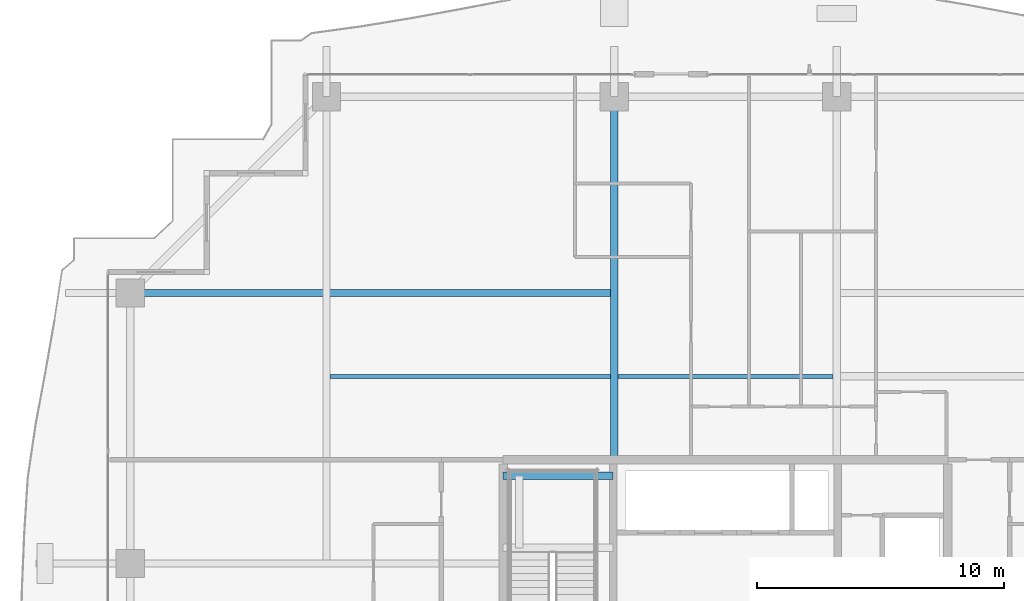
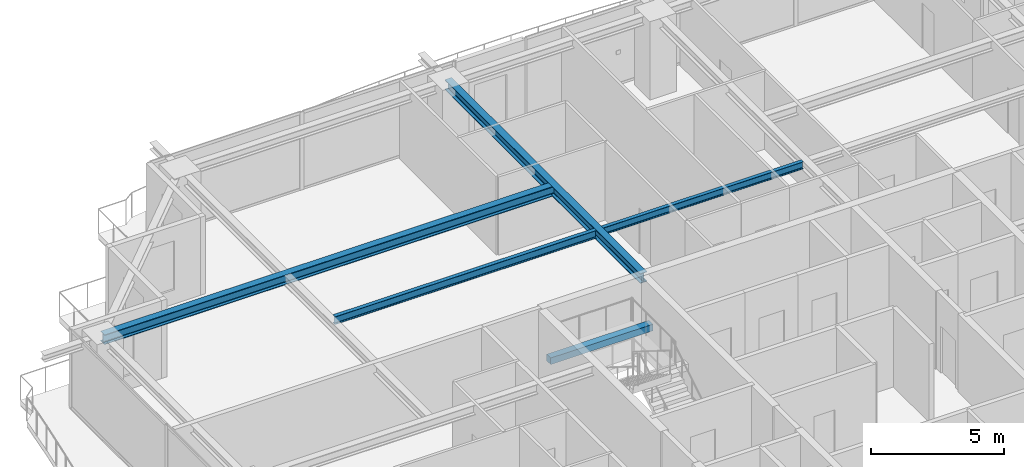
# One storey, part 20 of 40: 5 beams.
"""IFC4 building model written with IfcOpenShell, lengths in metres."""

from ifc_helpers import new_model, si_unit, direction, frame, origin, origin_2d, place, context, subcontext, project, spatial, rectangle, i_section, extrude, source, transform, mapped, material, material_profile, profile_set, type_object, element, save


model = new_model("IFC4")

# Units and contexts
model_context = context("Model", 3, precision=1e-05, world=origin(), true_north=direction((0.0, 1.0)))
body_context = subcontext(model_context, "Body", "Model", "MODEL_VIEW")
ifc_project = project(units=[si_unit("LENGTHUNIT", "METRE"), si_unit("AREAUNIT", "SQUARE_METRE"), si_unit("VOLUMEUNIT", "CUBIC_METRE"), si_unit("PLANEANGLEUNIT", "RADIAN"), si_unit("MASSUNIT", "GRAM", prefix="KILO")], contexts=[model_context])

# Site, building, storey
site_placement = place(None, origin())
site = spatial("IfcSite", under=ifc_project, at=site_placement, CompositionType="ELEMENT")
building_placement = place(site_placement, origin())
building = spatial("IfcBuilding", under=site, at=building_placement, Name="Serunith Strait Residences", CompositionType="ELEMENT")
storey_placement = place(building_placement, frame((0.0, 0.0, 252.800048828125)))
storey = spatial("IfcBuildingStorey", under=building, at=storey_placement, Name="L63", CompositionType="ELEMENT", Elevation=252.800048828125)

# Beams
ifc_material_1 = material(Name="Steel S355J2", Category="steel")
ifc_material_profile_1 = material_profile(ifc_material_1, i_section(OverallWidth=0.159912109375, OverallDepth=0.330078125, WebThickness=0.007568359375, FlangeThickness=0.011474609375, FilletRadius=0.01806640625, at=origin_2d()), Name="IPE 330")
ifc_profile_set_1 = profile_set([ifc_material_profile_1], Name="Steel S355J2")
beam_type_1 = type_object("IfcBeamType", Name="BM-IPE330", PredefinedType="JOIST", material=ifc_profile_set_1)
shared_shape_1 = source(origin(), body_context, "Body", "SweptSolid", [
    extrude(i_section(OverallWidth=0.159912109375, OverallDepth=0.330078125, WebThickness=0.007568359375, FlangeThickness=0.011474609375, FilletRadius=0.01806640625, at=origin_2d()), origin(), (0.0, 0.0, 1.0), 8.699951171875),
])
beam_1_placement = place(storey_placement, frame((28.050048828125, 36.97509765625, 3.421875), z_axis=(1.0, 0.0, 0.0), x_axis=(0.0, 1.0, 0.0)))
element("IfcBeam", 1, at=beam_1_placement, inside=storey, type_object=beam_type_1, Name="L63 Composite Floor Joist 05", PredefinedType="JOIST", context=body_context, shape_type="MappedRepresentation", body=[
    mapped(shared_shape_1, transform((0.0, 0.0, 0.0), scale=1.0)),
])
ifc_material_profile_2 = material_profile(ifc_material_1, i_section(OverallWidth=0.300048828125, OverallDepth=0.449951171875, WebThickness=0.013916015625, FlangeThickness=0.02587890625, FilletRadius=0.027099609375, at=origin_2d()), Name="HEB 450")
ifc_profile_set_2 = profile_set([ifc_material_profile_2], Name="Steel S355J2")
beam_type_2 = type_object("IfcBeamType", Name="BM-HEB450", PredefinedType="BEAM", material=ifc_profile_set_2)
shared_shape_2 = source(origin(), body_context, "Body", "SweptSolid", [
    extrude(i_section(OverallWidth=0.300048828125, OverallDepth=0.449951171875, WebThickness=0.013916015625, FlangeThickness=0.02587890625, FilletRadius=0.027099609375, at=origin_2d()), origin(), (0.0, 0.0, 1.0), 14.699951171875),
])
beam_2_placement = place(storey_placement, frame((27.89990234375, 33.60009765625, 3.362060546875), z_axis=(0.0, 1.0, 0.0), x_axis=(-1.0, 0.0, 0.0)))
element("IfcBeam", 2, at=beam_2_placement, inside=storey, type_object=beam_type_2, Name="L63 Primary Floor Girder TC-N2", PredefinedType="BEAM", context=body_context, shape_type="MappedRepresentation", body=[
    mapped(shared_shape_2, transform((0.0, 0.0, 0.0), scale=1.0)),
])
shared_shape_3 = source(origin(), body_context, "Body", "SweptSolid", [
    extrude(i_section(OverallWidth=0.300048828125, OverallDepth=0.449951171875, WebThickness=0.013916015625, FlangeThickness=0.02587890625, FilletRadius=0.027099609375, at=origin_2d()), origin(), (0.0, 0.0, 1.0), 19.599853515625),
])
beam_3_placement = place(storey_placement, frame((27.89990234375, 40.35009765625, 3.362060546875), z_axis=(-1.0, 0.0, 0.0), x_axis=(0.0, -1.0, 0.0)))
element("IfcBeam", 3, at=beam_3_placement, inside=storey, type_object=beam_type_2, Name="L63 Orthogonal Corner Girder TC-W4", PredefinedType="BEAM", context=body_context, shape_type="MappedRepresentation", body=[
    mapped(shared_shape_3, transform((0.0, 0.0, 0.0), scale=1.0)),
])
ifc_material_profile_3 = material_profile(ifc_material_1, i_section(OverallWidth=0.169921875, OverallDepth=0.360107421875, WebThickness=0.008056640625, FlangeThickness=0.0126953125, FilletRadius=0.01806640625, at=origin_2d()), Name="IPE 360")
ifc_profile_set_3 = profile_set([ifc_material_profile_3], Name="Steel S355J2")
beam_type_3 = type_object("IfcBeamType", Name="BM-IPE360", PredefinedType="JOIST", material=ifc_profile_set_3)
shared_shape_4 = source(origin(), body_context, "Body", "SweptSolid", [
    extrude(i_section(OverallWidth=0.169921875, OverallDepth=0.360107421875, WebThickness=0.008056640625, FlangeThickness=0.0126953125, FilletRadius=0.01806640625, at=origin_2d()), origin(), (0.0, 0.0, 1.0), 11.35009765625),
])
beam_4_placement = place(storey_placement, frame((16.39990234375, 36.97509765625, 3.406982421875), z_axis=(1.0, 0.0, 0.0), x_axis=(0.0, 1.0, 0.0)))
element("IfcBeam", 4, at=beam_4_placement, inside=storey, type_object=beam_type_3, Name="L63 Composite Floor Joist 04", PredefinedType="JOIST", context=body_context, shape_type="MappedRepresentation", body=[
    mapped(shared_shape_4, transform((0.0, 0.0, 0.0), scale=1.0)),
])
ifc_material_2 = material(Name="Concrete C60/75", Category="concrete")
ifc_material_profile_4 = material_profile(ifc_material_2, rectangle(XDim=0.300048828125, YDim=0.300048828125, at=origin_2d()), Name="RC 300x300")
ifc_profile_set_4 = profile_set([ifc_material_profile_4], Name="Concrete C60/75")
beam_type_4 = type_object("IfcBeamType", Name="BM-LAND-300x300", PredefinedType="BEAM", material=ifc_profile_set_4)
shared_shape_5 = source(origin(), body_context, "Body", "SweptSolid", [
    extrude(rectangle(XDim=0.300048828125, YDim=0.300048828125, at=origin_2d()), origin(), (0.0, 0.0, 1.0), 4.4501953125),
])
beam_5_placement = place(storey_placement, frame((23.39990234375, 32.949951171875, 1.574951171875), z_axis=(1.0, 0.0, 0.0), x_axis=(0.0, 1.0, 0.0)))
element("IfcBeam", 5, at=beam_5_placement, inside=storey, type_object=beam_type_4, Name="L63 ST-1 Landing Support Beam 2", PredefinedType="BEAM", context=body_context, shape_type="MappedRepresentation", body=[
    mapped(shared_shape_5, transform((0.0, 0.0, 0.0), scale=1.0)),
])

save(model, "model.ifc")
